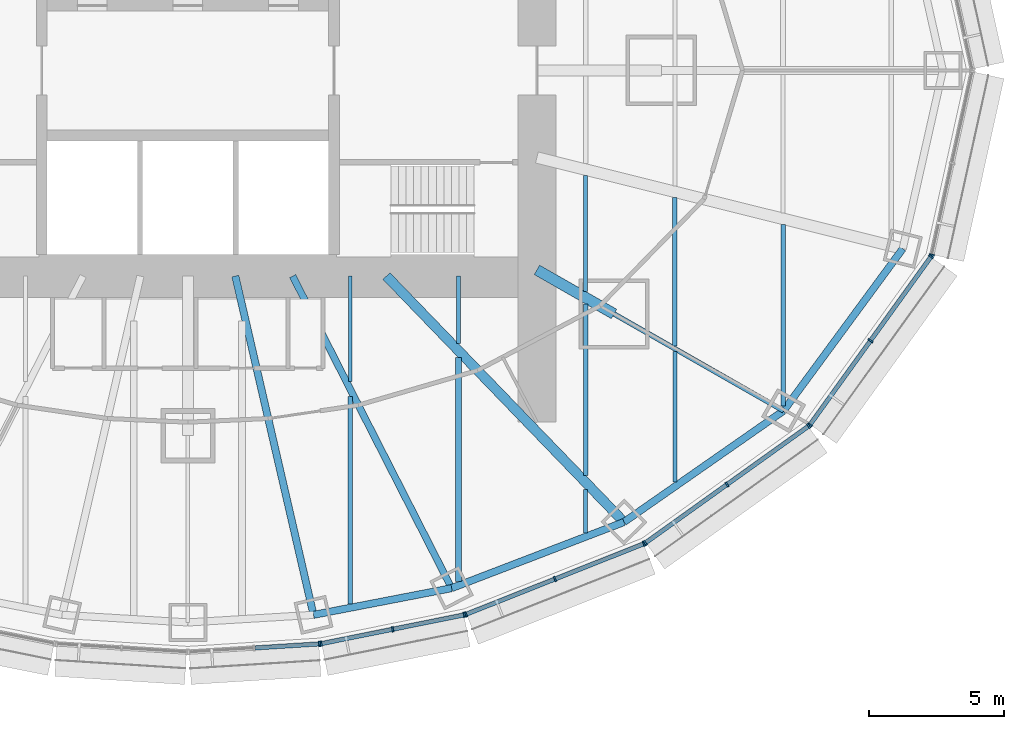
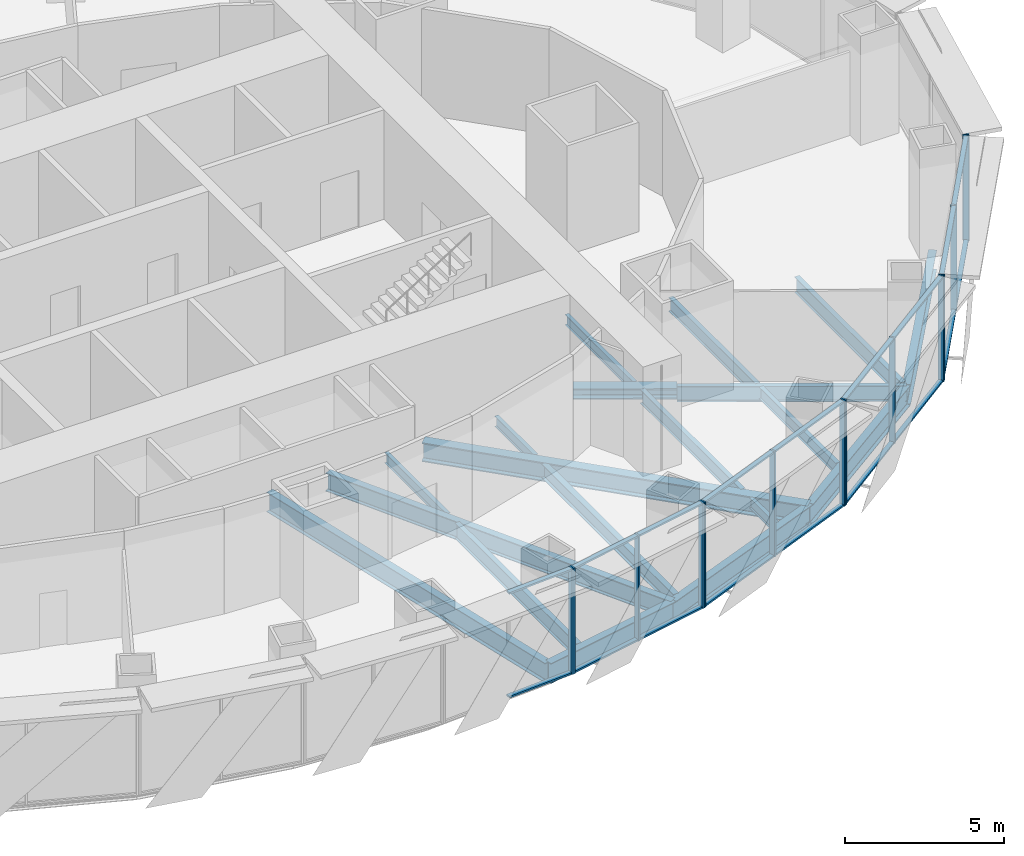
# One storey, part 5 of 17: 32 members, 19 beams, 6 elements without a shape of their own.
"""IFC4 building model written with IfcOpenShell, lengths in metres."""

from ifc_helpers import new_model, si_unit, direction, frame, origin, origin_2d, place, context, subcontext, project, spatial, rectangle, i_section, extrude, material, material_profile, profile_set, type_object, element, aggregate, save


model = new_model("IFC4")

# Units and contexts
model_context = context("Model", 3, precision=1e-05, world=origin(), true_north=direction((0.0, 1.0)))
body_context = subcontext(model_context, "Body", "Model", "MODEL_VIEW")
ifc_project = project(units=[si_unit("LENGTHUNIT", "METRE"), si_unit("AREAUNIT", "SQUARE_METRE"), si_unit("VOLUMEUNIT", "CUBIC_METRE"), si_unit("PLANEANGLEUNIT", "RADIAN"), si_unit("MASSUNIT", "GRAM", prefix="KILO")], contexts=[model_context])

# Site, building, storey
site_placement = place(None, origin())
site = spatial("IfcSite", under=ifc_project, at=site_placement, CompositionType="ELEMENT")
building_placement = place(site_placement, origin())
building = spatial("IfcBuilding", under=site, at=building_placement, Name="Lantaw Convention Tower", CompositionType="ELEMENT")
storey_placement = place(building_placement, frame((0.0, 0.0, 151.0)))
storey = spatial("IfcBuildingStorey", under=building, at=storey_placement, Name="L35", CompositionType="ELEMENT", Elevation=151.0)

# Beams
ifc_material_1 = material(Name="Steel ASTM A992", Category="steel")
ifc_material_profile_1 = material_profile(ifc_material_1, i_section(OverallWidth=0.2666015625, OverallDepth=0.76953125, WebThickness=0.015625, FlangeThickness=0.025390625, FilletRadius=0.0126953125, at=origin_2d()), Name="W30X132")
ifc_profile_set_1 = profile_set([ifc_material_profile_1], Name="Steel ASTM A992")
beam_type_1 = type_object("IfcBeamType", Name="Beam E W30X132", PredefinedType="SPANDREL", material=ifc_profile_set_1)
beam_1_placement = place(storey_placement, frame((4.64501953125, -20.1201171875, -0.534912109375), z_axis=(0.981796805654, 0.189934284446, 0.0), x_axis=(-0.189934284446, 0.981796805654, 0.0)))
element("IfcBeam", 1, at=beam_1_placement, inside=storey, type_object=beam_type_1, Name="Edge beam 20", PredefinedType="SPANDREL", context=body_context, shape_type="SweptSolid", body=[
    extrude(i_section(OverallWidth=0.2666015625, OverallDepth=0.76953125, WebThickness=0.015625, FlangeThickness=0.025390625, FilletRadius=0.0126953125, at=origin_2d()), origin(), (0.0, 0.0, 1.0), 5.1982421875),
])
beam_2_placement = place(storey_placement, frame((9.74853515625, -19.1328125, -0.534912109375), z_axis=(0.933691081977, 0.358079549033, 0.0), x_axis=(-0.358079549033, 0.933691081977, 0.0)))
element("IfcBeam", 2, at=beam_2_placement, inside=storey, type_object=beam_type_1, Name="Edge beam 21", PredefinedType="SPANDREL", context=body_context, shape_type="SweptSolid", body=[
    extrude(i_section(OverallWidth=0.2666015625, OverallDepth=0.76953125, WebThickness=0.015625, FlangeThickness=0.025390625, FilletRadius=0.0126953125, at=origin_2d()), origin(), (0.0, 0.0, 1.0), 6.821533203125),
])
beam_3_placement = place(storey_placement, frame((16.11767578125, -16.690185546875, -0.534912109375), z_axis=(0.820310765287, 0.57191804339, 0.0), x_axis=(-0.57191804339, 0.820310765287, 0.0)))
element("IfcBeam", 3, at=beam_3_placement, inside=storey, type_object=beam_type_1, Name="Edge beam 22", PredefinedType="SPANDREL", context=body_context, shape_type="SweptSolid", body=[
    extrude(i_section(OverallWidth=0.2666015625, OverallDepth=0.76953125, WebThickness=0.015625, FlangeThickness=0.025390625, FilletRadius=0.0126953125, at=origin_2d()), origin(), (0.0, 0.0, 1.0), 7.187744140625),
])
beam_4_placement = place(storey_placement, frame((22.013916015625, -12.579345703125, -0.534912109375), z_axis=(0.5923891972, 0.805651934176, 0.0), x_axis=(-0.805651934176, 0.5923891972, 0.0)))
element("IfcBeam", 4, at=beam_4_placement, inside=storey, type_object=beam_type_1, Name="Edge beam 23", PredefinedType="SPANDREL", context=body_context, shape_type="SweptSolid", body=[
    extrude(i_section(OverallWidth=0.2666015625, OverallDepth=0.76953125, WebThickness=0.015625, FlangeThickness=0.025390625, FilletRadius=0.0126953125, at=origin_2d()), origin(), (0.0, 0.0, 1.0), 7.437744140625),
])
ifc_material_profile_2 = material_profile(ifc_material_1, i_section(OverallWidth=0.177978515625, OverallDepth=0.599365234375, WebThickness=0.010009765625, FlangeThickness=0.012939453125, FilletRadius=0.012939453125, at=origin_2d()), Name="W24X55")
ifc_profile_set_2 = profile_set([ifc_material_profile_2], Name="Steel ASTM A992")
beam_type_2 = type_object("IfcBeamType", Name="Beam G W24X55", PredefinedType="BEAM", material=ifc_profile_set_2)
beam_5_placement = place(storey_placement, frame((15.75, -9.0, -0.44970703125), z_axis=(0.868245224608, -0.496135293993, 0.0), x_axis=(0.496135293993, 0.868245224608, 0.0)))
element("IfcBeam", 5, at=beam_5_placement, inside=storey, type_object=beam_type_2, Name="Floor girder on ray 23", PredefinedType="BEAM", context=body_context, shape_type="SweptSolid", body=[
    extrude(i_section(OverallWidth=0.177978515625, OverallDepth=0.599365234375, WebThickness=0.010009765625, FlangeThickness=0.012939453125, FilletRadius=0.012939453125, at=origin_2d()), origin(), (0.0, 0.0, 1.0), 7.21435546875),
])
ifc_material_profile_3 = material_profile(ifc_material_1, i_section(OverallWidth=0.25390625, OverallDepth=0.700927734375, WebThickness=0.015380859375, FlangeThickness=0.02783203125, FilletRadius=0.01513671875, at=origin_2d()), Name="W27X129")
ifc_profile_set_3 = profile_set([ifc_material_profile_3], Name="Steel ASTM A992")
beam_type_3 = type_object("IfcBeamType", Name="Beam G W27X129", PredefinedType="BEAM", material=ifc_profile_set_3)
beam_6_placement = place(storey_placement, frame((3.872314453125, -7.60009765625, -0.50048828125), z_axis=(0.453991051051, -0.891006243281, 0.0), x_axis=(0.891006243281, 0.453991051051, 0.0)))
element("IfcBeam", 6, at=beam_6_placement, inside=storey, type_object=beam_type_3, Name="Floor girder on ray 21", PredefinedType="BEAM", context=body_context, shape_type="SweptSolid", body=[
    extrude(i_section(OverallWidth=0.25390625, OverallDepth=0.700927734375, WebThickness=0.015380859375, FlangeThickness=0.02783203125, FilletRadius=0.01513671875, at=origin_2d()), origin(), (0.0, 0.0, 1.0), 12.943359375),
])
ifc_material_profile_4 = material_profile(ifc_material_1, i_section(OverallWidth=0.360595703125, OverallDepth=0.72900390625, WebThickness=0.023193359375, FlangeThickness=0.041015625, FilletRadius=0.0126953125, at=origin_2d()), Name="W27X235")
ifc_profile_set_4 = profile_set([ifc_material_profile_4], Name="Steel ASTM A992")
beam_type_4 = type_object("IfcBeamType", Name="Beam G W27X235", PredefinedType="BEAM", material=ifc_profile_set_4)
beam_7_placement = place(storey_placement, frame((7.33935546875, -7.60009765625, -0.514404296875), z_axis=(0.694663467407, -0.719334878239, 0.0), x_axis=(0.719334878239, 0.694663467407, 0.0)))
element("IfcBeam", 7, at=beam_7_placement, inside=storey, type_object=beam_type_4, Name="Floor girder on ray 22", PredefinedType="BEAM", context=body_context, shape_type="SweptSolid", body=[
    extrude(i_section(OverallWidth=0.360595703125, OverallDepth=0.72900390625, WebThickness=0.023193359375, FlangeThickness=0.041015625, FilletRadius=0.0126953125, at=origin_2d()), origin(), (0.0, 0.0, 1.0), 12.63671875),
])
ifc_material_profile_5 = material_profile(ifc_material_1, i_section(OverallWidth=0.2666015625, OverallDepth=0.7568359375, WebThickness=0.013916015625, FlangeThickness=0.019287109375, FilletRadius=0.0126953125, at=origin_2d()), Name="W30X108")
ifc_profile_set_5 = profile_set([ifc_material_profile_5], Name="Steel ASTM A992")
beam_type_5 = type_object("IfcBeamType", Name="Beam G W30X108", PredefinedType="BEAM", material=ifc_profile_set_5)
beam_8_placement = place(storey_placement, frame((1.754638671875, -7.60009765625, -0.528564453125), z_axis=(0.224944153104, -0.974371658036, 0.0), x_axis=(0.974371658036, 0.224944153104, 0.0)))
element("IfcBeam", 8, at=beam_8_placement, inside=storey, type_object=beam_type_5, Name="Floor girder on ray 20", PredefinedType="BEAM", context=body_context, shape_type="SweptSolid", body=[
    extrude(i_section(OverallWidth=0.2666015625, OverallDepth=0.7568359375, WebThickness=0.013916015625, FlangeThickness=0.019287109375, FilletRadius=0.0126953125, at=origin_2d()), origin(), (0.0, 0.0, 1.0), 12.849365234375),
])
ifc_material_profile_6 = material_profile(ifc_material_1, i_section(OverallWidth=0.40380859375, OverallDepth=0.406494140625, WebThickness=0.027099609375, FlangeThickness=0.043701171875, FilletRadius=0.01513671875, at=origin_2d()), Name="W14X233")
ifc_profile_set_6 = profile_set([ifc_material_profile_6], Name="Steel ASTM A992")
beam_type_6 = type_object("IfcBeamType", Name="Beam GM W14X233", PredefinedType="BEAM", material=ifc_profile_set_6)
beam_9_placement = place(storey_placement, frame((12.89990234375, -7.371337890625, -0.353271484375), z_axis=(0.868238565244, -0.496146947811, 0.0), x_axis=(0.496146947811, 0.868238565244, 0.0)))
element("IfcBeam", 9, at=beam_9_placement, inside=storey, type_object=beam_type_6, Name="Core link beam on ray 23", PredefinedType="BEAM", context=body_context, shape_type="SweptSolid", body=[
    extrude(i_section(OverallWidth=0.40380859375, OverallDepth=0.406494140625, WebThickness=0.027099609375, FlangeThickness=0.043701171875, FilletRadius=0.01513671875, at=origin_2d()), origin(), (0.0, 0.0, 1.0), 3.28271484375),
])
ifc_material_profile_7 = material_profile(ifc_material_1, i_section(OverallWidth=0.140380859375, OverallDepth=0.40380859375, WebThickness=0.007080078125, FlangeThickness=0.01123046875, FilletRadius=0.01025390625, at=origin_2d()), Name="W16X31")
ifc_profile_set_7 = profile_set([ifc_material_profile_7], Name="Steel ASTM A992")
beam_type_7 = type_object("IfcBeamType", Name="Beam J W16X31", PredefinedType="JOIST", material=ifc_profile_set_7)
beam_10_placement = place(storey_placement, frame((6.0, -11.495849609375, -0.35205078125), z_axis=(0.0, 1.0, 0.0), x_axis=(-1.0, 0.0, 0.0)))
element("IfcBeam", 10, at=beam_10_placement, inside=storey, type_object=beam_type_7, Name="Floor joist", PredefinedType="JOIST", context=body_context, shape_type="SweptSolid", body=[
    extrude(i_section(OverallWidth=0.140380859375, OverallDepth=0.40380859375, WebThickness=0.007080078125, FlangeThickness=0.01123046875, FilletRadius=0.01025390625, at=origin_2d()), origin(), (0.0, 0.0, 1.0), 3.895751953125),
])
beam_11_placement = place(storey_placement, frame((10.0, -10.095703125, -0.35205078125), z_axis=(0.0, 1.0, 0.0), x_axis=(-1.0, 0.0, 0.0)))
element("IfcBeam", 11, at=beam_11_placement, inside=storey, type_object=beam_type_7, Name="Floor joist", PredefinedType="JOIST", context=body_context, shape_type="SweptSolid", body=[
    extrude(i_section(OverallWidth=0.140380859375, OverallDepth=0.40380859375, WebThickness=0.007080078125, FlangeThickness=0.01123046875, FilletRadius=0.01025390625, at=origin_2d()), origin(), (0.0, 0.0, 1.0), 2.49560546875),
])
beam_12_placement = place(storey_placement, frame((14.699951171875, -17.091064453125, -0.35205078125), z_axis=(0.0, 1.0, 0.0), x_axis=(-1.0, 0.0, 0.0)))
element("IfcBeam", 12, at=beam_12_placement, inside=storey, type_object=beam_type_7, Name="Floor joist", PredefinedType="JOIST", context=body_context, shape_type="SweptSolid", body=[
    extrude(i_section(OverallWidth=0.140380859375, OverallDepth=0.40380859375, WebThickness=0.007080078125, FlangeThickness=0.01123046875, FilletRadius=0.01025390625, at=origin_2d()), origin(), (0.0, 0.0, 1.0), 1.609130859375),
])
beam_13_placement = place(storey_placement, frame((14.699951171875, -8.16748046875, -0.35205078125), z_axis=(0.0, 1.0, 0.0), x_axis=(-1.0, 0.0, 0.0)))
element("IfcBeam", 13, at=beam_13_placement, inside=storey, type_object=beam_type_7, Name="Floor joist", PredefinedType="JOIST", context=body_context, shape_type="SweptSolid", body=[
    extrude(i_section(OverallWidth=0.140380859375, OverallDepth=0.40380859375, WebThickness=0.007080078125, FlangeThickness=0.01123046875, FilletRadius=0.01025390625, at=origin_2d()), origin(), (0.0, 0.0, 1.0), 4.28515625),
])
ifc_material_profile_8 = material_profile(ifc_material_1, i_section(OverallWidth=0.15234375, OverallDepth=0.449462890625, WebThickness=0.007568359375, FlangeThickness=0.0107421875, FilletRadius=0.01025390625, at=origin_2d()), Name="W18X35")
ifc_profile_set_8 = profile_set([ifc_material_profile_8], Name="Steel ASTM A992")
beam_type_8 = type_object("IfcBeamType", Name="Beam J W18X35", PredefinedType="JOIST", material=ifc_profile_set_8)
beam_14_placement = place(storey_placement, frame((18.0, -15.21533203125, -0.374755859375), z_axis=(0.0, 1.0, 0.0), x_axis=(-1.0, 0.0, 0.0)))
element("IfcBeam", 14, at=beam_14_placement, inside=storey, type_object=beam_type_8, Name="Floor joist", PredefinedType="JOIST", context=body_context, shape_type="SweptSolid", body=[
    extrude(i_section(OverallWidth=0.15234375, OverallDepth=0.449462890625, WebThickness=0.007568359375, FlangeThickness=0.0107421875, FilletRadius=0.01025390625, at=origin_2d()), origin(), (0.0, 0.0, 1.0), 4.8271484375),
])
ifc_material_profile_9 = material_profile(ifc_material_1, i_section(OverallWidth=0.1650390625, OverallDepth=0.52587890625, WebThickness=0.0087890625, FlangeThickness=0.011474609375, FilletRadius=0.0126953125, at=origin_2d()), Name="W21X44")
ifc_profile_set_9 = profile_set([ifc_material_profile_9], Name="Steel ASTM A992")
beam_type_9 = type_object("IfcBeamType", Name="Beam J W21X44", PredefinedType="JOIST", material=ifc_profile_set_9)
beam_15_placement = place(storey_placement, frame((14.699951171875, -14.962646484375, -0.412841796875), z_axis=(0.0, 1.0, 0.0), x_axis=(-1.0, 0.0, 0.0)))
element("IfcBeam", 15, at=beam_15_placement, inside=storey, type_object=beam_type_9, Name="Floor joist", PredefinedType="JOIST", context=body_context, shape_type="SweptSolid", body=[
    extrude(i_section(OverallWidth=0.1650390625, OverallDepth=0.52587890625, WebThickness=0.0087890625, FlangeThickness=0.011474609375, FilletRadius=0.0126953125, at=origin_2d()), origin(), (0.0, 0.0, 1.0), 6.330078125),
])
beam_16_placement = place(storey_placement, frame((18.0, -10.18310546875, -0.412841796875), z_axis=(0.0, 1.0, 0.0), x_axis=(-1.0, 0.0, 0.0)))
element("IfcBeam", 16, at=beam_16_placement, inside=storey, type_object=beam_type_9, Name="Floor joist", PredefinedType="JOIST", context=body_context, shape_type="SweptSolid", body=[
    extrude(i_section(OverallWidth=0.1650390625, OverallDepth=0.52587890625, WebThickness=0.0087890625, FlangeThickness=0.011474609375, FilletRadius=0.0126953125, at=origin_2d()), origin(), (0.0, 0.0, 1.0), 5.47802734375),
])
ifc_material_profile_10 = material_profile(ifc_material_1, i_section(OverallWidth=0.2099609375, OverallDepth=0.535888671875, WebThickness=0.010986328125, FlangeThickness=0.017333984375, FilletRadius=0.012939453125, at=origin_2d()), Name="W21X68")
ifc_profile_set_10 = profile_set([ifc_material_profile_10], Name="Steel ASTM A992")
beam_type_10 = type_object("IfcBeamType", Name="Beam J W21X68", PredefinedType="JOIST", material=ifc_profile_set_10)
beam_17_placement = place(storey_placement, frame((10.0, -18.8935546875, -0.41796875), z_axis=(0.0, 1.0, 0.0), x_axis=(-1.0, 0.0, 0.0)))
element("IfcBeam", 17, at=beam_17_placement, inside=storey, type_object=beam_type_10, Name="Floor joist", PredefinedType="JOIST", context=body_context, shape_type="SweptSolid", body=[
    extrude(i_section(OverallWidth=0.2099609375, OverallDepth=0.535888671875, WebThickness=0.010986328125, FlangeThickness=0.017333984375, FilletRadius=0.012939453125, at=origin_2d()), origin(), (0.0, 0.0, 1.0), 8.278564453125),
])
ifc_material_profile_11 = material_profile(ifc_material_1, i_section(OverallWidth=0.177978515625, OverallDepth=0.599365234375, WebThickness=0.010009765625, FlangeThickness=0.012939453125, FilletRadius=0.012939453125, at=origin_2d()), Name="W24X55")
ifc_profile_set_11 = profile_set([ifc_material_profile_11], Name="Steel ASTM A992")
beam_type_11 = type_object("IfcBeamType", Name="Beam J W24X55", PredefinedType="JOIST", material=ifc_profile_set_11)
beam_18_placement = place(storey_placement, frame((6.0, -19.72216796875, -0.44970703125), z_axis=(0.0, 1.0, 0.0), x_axis=(-1.0, 0.0, 0.0)))
element("IfcBeam", 18, at=beam_18_placement, inside=storey, type_object=beam_type_11, Name="Floor joist", PredefinedType="JOIST", context=body_context, shape_type="SweptSolid", body=[
    extrude(i_section(OverallWidth=0.177978515625, OverallDepth=0.599365234375, WebThickness=0.010009765625, FlangeThickness=0.012939453125, FilletRadius=0.012939453125, at=origin_2d()), origin(), (0.0, 0.0, 1.0), 7.666748046875),
])
beam_19_placement = place(storey_placement, frame((22.0, -12.408935546875, -0.44970703125), z_axis=(0.0, 1.0, 0.0), x_axis=(-1.0, 0.0, 0.0)))
element("IfcBeam", 19, at=beam_19_placement, inside=storey, type_object=beam_type_11, Name="Floor joist", PredefinedType="JOIST", context=body_context, shape_type="SweptSolid", body=[
    extrude(i_section(OverallWidth=0.177978515625, OverallDepth=0.599365234375, WebThickness=0.010009765625, FlangeThickness=0.012939453125, FilletRadius=0.012939453125, at=origin_2d()), origin(), (0.0, 0.0, 1.0), 6.70654296875),
])

# Curtain wall, member
ifc_material_2 = material(Name="Aluminium framed curtain wall", Category="aluminium")
curtain_wall_type = type_object("IfcCurtainWallType", Name="Office curtain wall low rise, pale aluminium", PredefinedType="USERDEFINED", material=ifc_material_2)
curtain_wall_1_placement = place(storey_placement, origin())
curtain_wall_1 = element("IfcCurtainWall", 20, at=curtain_wall_1_placement, inside=storey, type_object=curtain_wall_type, Name="Office curtain wall low rise, pale aluminium L35", ObjectType="UNITISED CURTAIN WALL", PredefinedType="USERDEFINED")
ifc_material_3 = material(Name="Aluminium 6063-T6", Category="aluminium")
ifc_material_profile_12 = material_profile(ifc_material_3, rectangle(XDim=0.199951171875, YDim=0.06494140625, at=origin_2d()), Name="CW-O1 mullion 65x200")
ifc_profile_set_12 = profile_set([ifc_material_profile_12], Name="Aluminium 6063-T6")
member_type_1 = type_object("IfcMemberType", Name="CW-O1 mullion 65x200", PredefinedType="MULLION", material=ifc_profile_set_12)
member_1_placement = place(storey_placement, frame((4.860107421875, -21.19384765625, 0.0), z_axis=(0.0, 0.0, 1.0), x_axis=(-0.062865059466, 0.998022035978, 0.0)))
member_1 = element("IfcMember", 21, at=member_1_placement, type_object=member_type_1, Name="CW-O1 mullion 3", PredefinedType="MULLION", context=body_context, shape_type="SweptSolid", body=[
    extrude(rectangle(XDim=0.199951171875, YDim=0.06494140625, at=origin_2d()), origin(), (0.0, 0.0, 1.0), 4.050048828125),
])

# Curtain wall, members
curtain_wall_2_placement = place(storey_placement, origin())
curtain_wall_2 = element("IfcCurtainWall", 22, at=curtain_wall_2_placement, inside=storey, type_object=curtain_wall_type, Name="Office curtain wall low rise, pale aluminium L35", ObjectType="UNITISED CURTAIN WALL", PredefinedType="USERDEFINED")
member_2_placement = place(storey_placement, frame((4.92431640625, -21.185302734375, 0.0), z_axis=(0.0, 0.0, 1.0), x_axis=(-0.197506809659, 0.980301514912, 0.0)))
member_2 = element("IfcMember", 23, at=member_2_placement, type_object=member_type_1, Name="CW-O1 mullion 1", PredefinedType="MULLION", context=body_context, shape_type="SweptSolid", body=[
    extrude(rectangle(XDim=0.199951171875, YDim=0.06494140625, at=origin_2d()), origin(), (0.0, 0.0, 1.0), 4.050048828125),
])
member_3_placement = place(storey_placement, frame((7.5703125, -20.65234375, 0.0), z_axis=(0.0, 0.0, 1.0), x_axis=(-0.197506809659, 0.980301514912, 0.0)))
member_3 = element("IfcMember", 24, at=member_3_placement, type_object=member_type_1, Name="CW-O1 mullion 2", PredefinedType="MULLION", context=body_context, shape_type="SweptSolid", body=[
    extrude(rectangle(XDim=0.199951171875, YDim=0.06494140625, at=origin_2d()), origin(), (0.0, 0.0, 1.0), 4.050048828125),
])
member_4_placement = place(storey_placement, frame((10.216064453125, -20.119140625, 0.0), z_axis=(0.0, 0.0, 1.0), x_axis=(-0.197506809659, 0.980301514912, 0.0)))
member_4 = element("IfcMember", 25, at=member_4_placement, type_object=member_type_1, Name="CW-O1 mullion 3", PredefinedType="MULLION", context=body_context, shape_type="SweptSolid", body=[
    extrude(rectangle(XDim=0.199951171875, YDim=0.06494140625, at=origin_2d()), origin(), (0.0, 0.0, 1.0), 4.050048828125),
])

curtain_wall_3_placement = place(storey_placement, origin())
curtain_wall_3 = element("IfcCurtainWall", 26, at=curtain_wall_3_placement, inside=storey, type_object=curtain_wall_type, Name="Office curtain wall low rise, pale aluminium L35", ObjectType="UNITISED CURTAIN WALL", PredefinedType="USERDEFINED")
member_5_placement = place(storey_placement, frame((10.2783203125, -20.100830078125, 0.0), z_axis=(0.0, 0.0, 1.0), x_axis=(-0.368701907483, 0.929547687544, 0.0)))
member_5 = element("IfcMember", 27, at=member_5_placement, type_object=member_type_1, Name="CW-O1 mullion 1", PredefinedType="MULLION", context=body_context, shape_type="SweptSolid", body=[
    extrude(rectangle(XDim=0.199951171875, YDim=0.06494140625, at=origin_2d()), origin(), (0.0, 0.0, 1.0), 4.050048828125),
])
member_6_placement = place(storey_placement, frame((13.56494140625, -18.797119140625, 0.0), z_axis=(0.0, 0.0, 1.0), x_axis=(-0.368701907483, 0.929547687544, 0.0)))
member_6 = element("IfcMember", 28, at=member_6_placement, type_object=member_type_1, Name="CW-O1 mullion 2", PredefinedType="MULLION", context=body_context, shape_type="SweptSolid", body=[
    extrude(rectangle(XDim=0.199951171875, YDim=0.06494140625, at=origin_2d()), origin(), (0.0, 0.0, 1.0), 4.050048828125),
])
member_7_placement = place(storey_placement, frame((16.8515625, -17.49365234375, 0.0), z_axis=(0.0, 0.0, 1.0), x_axis=(-0.368701907483, 0.929547687544, 0.0)))
member_7 = element("IfcMember", 29, at=member_7_placement, type_object=member_type_1, Name="CW-O1 mullion 3", PredefinedType="MULLION", context=body_context, shape_type="SweptSolid", body=[
    extrude(rectangle(XDim=0.199951171875, YDim=0.06494140625, at=origin_2d()), origin(), (0.0, 0.0, 1.0), 4.050048828125),
])

curtain_wall_4_placement = place(storey_placement, origin())
curtain_wall_4 = element("IfcCurtainWall", 30, at=curtain_wall_4_placement, inside=storey, type_object=curtain_wall_type, Name="Office curtain wall low rise, pale aluminium L35", ObjectType="UNITISED CURTAIN WALL", PredefinedType="USERDEFINED")
member_8_placement = place(storey_placement, frame((16.908203125, -17.462646484375, 0.0), z_axis=(0.0, 0.0, 1.0), x_axis=(-0.581972695693, 0.813208325995, 0.0)))
member_8 = element("IfcMember", 31, at=member_8_placement, type_object=member_type_1, Name="CW-O1 mullion 1", PredefinedType="MULLION", context=body_context, shape_type="SweptSolid", body=[
    extrude(rectangle(XDim=0.199951171875, YDim=0.06494140625, at=origin_2d()), origin(), (0.0, 0.0, 1.0), 4.050048828125),
])
member_9_placement = place(storey_placement, frame((19.92529296875, -15.303466796875, 0.0), z_axis=(0.0, 0.0, 1.0), x_axis=(-0.581972695693, 0.813208325995, 0.0)))
member_9 = element("IfcMember", 32, at=member_9_placement, type_object=member_type_1, Name="CW-O1 mullion 2", PredefinedType="MULLION", context=body_context, shape_type="SweptSolid", body=[
    extrude(rectangle(XDim=0.199951171875, YDim=0.06494140625, at=origin_2d()), origin(), (0.0, 0.0, 1.0), 4.050048828125),
])
member_10_placement = place(storey_placement, frame((22.942626953125, -13.14404296875, 0.0), z_axis=(0.0, 0.0, 1.0), x_axis=(-0.581972695693, 0.813208325995, 0.0)))
member_10 = element("IfcMember", 33, at=member_10_placement, type_object=member_type_1, Name="CW-O1 mullion 3", PredefinedType="MULLION", context=body_context, shape_type="SweptSolid", body=[
    extrude(rectangle(XDim=0.199951171875, YDim=0.06494140625, at=origin_2d()), origin(), (0.0, 0.0, 1.0), 4.050048828125),
])

curtain_wall_5_placement = place(storey_placement, origin())
curtain_wall_5 = element("IfcCurtainWall", 34, at=curtain_wall_5_placement, inside=storey, type_object=curtain_wall_type, Name="Office curtain wall low rise, pale aluminium L35", ObjectType="UNITISED CURTAIN WALL", PredefinedType="USERDEFINED")
member_11_placement = place(storey_placement, frame((22.988037109375, -13.098876953125, 0.0), z_axis=(0.0, 0.0, 1.0), x_axis=(-0.811384633629, 0.584512597221, 0.0)))
member_11 = element("IfcMember", 35, at=member_11_placement, type_object=member_type_1, Name="CW-O1 mullion 1", PredefinedType="MULLION", context=body_context, shape_type="SweptSolid", body=[
    extrude(rectangle(XDim=0.199951171875, YDim=0.06494140625, at=origin_2d()), origin(), (0.0, 0.0, 1.0), 4.050048828125),
])
member_12_placement = place(storey_placement, frame((25.22802734375, -9.9892578125, 0.0), z_axis=(0.0, 0.0, 1.0), x_axis=(-0.811384633629, 0.584512597221, 0.0)))
member_12 = element("IfcMember", 36, at=member_12_placement, type_object=member_type_1, Name="CW-O1 mullion 2", PredefinedType="MULLION", context=body_context, shape_type="SweptSolid", body=[
    extrude(rectangle(XDim=0.199951171875, YDim=0.06494140625, at=origin_2d()), origin(), (0.0, 0.0, 1.0), 4.050048828125),
])
member_13_placement = place(storey_placement, frame((27.46826171875, -6.879638671875, 0.0), z_axis=(0.0, 0.0, 1.0), x_axis=(-0.811384633629, 0.584512597221, 0.0)))
member_13 = element("IfcMember", 37, at=member_13_placement, type_object=member_type_1, Name="CW-O1 mullion 3", PredefinedType="MULLION", context=body_context, shape_type="SweptSolid", body=[
    extrude(rectangle(XDim=0.199951171875, YDim=0.06494140625, at=origin_2d()), origin(), (0.0, 0.0, 1.0), 4.050048828125),
])

# Curtain wall, member
curtain_wall_6_placement = place(storey_placement, origin())
curtain_wall_6 = element("IfcCurtainWall", 38, at=curtain_wall_6_placement, inside=storey, type_object=curtain_wall_type, Name="Office curtain wall low rise, pale aluminium L35", ObjectType="UNITISED CURTAIN WALL", PredefinedType="USERDEFINED")
member_14_placement = place(storey_placement, frame((27.494140625, -6.821533203125, 0.0), z_axis=(0.0, 0.0, 1.0), x_axis=(-0.9764936509, 0.215546166174, 0.0)))
member_14 = element("IfcMember", 39, at=member_14_placement, type_object=member_type_1, Name="CW-O1 mullion 1", PredefinedType="MULLION", context=body_context, shape_type="SweptSolid", body=[
    extrude(rectangle(XDim=0.199951171875, YDim=0.06494140625, at=origin_2d()), origin(), (0.0, 0.0, 1.0), 4.050048828125),
])
aggregate(curtain_wall_6, [member_14])

# Member
ifc_material_profile_13 = material_profile(ifc_material_3, rectangle(XDim=0.159912109375, YDim=0.06494140625, at=origin_2d()), Name="CW-O1 transom 65x160")
ifc_profile_set_13 = profile_set([ifc_material_profile_13], Name="Aluminium 6063-T6")
member_type_2 = type_object("IfcMemberType", Name="CW-O1 transom 65x160", PredefinedType="USERDEFINED", material=ifc_profile_set_13)
member_15_placement = place(storey_placement, frame((2.478759765625, -21.34375, 0.032470703125), z_axis=(0.998022188463, 0.062862638625, 0.0), x_axis=(-0.062862638625, 0.998022188463, 0.0)))
member_15 = element("IfcMember", 40, at=member_15_placement, type_object=member_type_2, Name="CW-O1 transom 2.1", ObjectType="TRANSOM", PredefinedType="USERDEFINED", context=body_context, shape_type="SweptSolid", body=[
    extrude(rectangle(XDim=0.159912109375, YDim=0.06494140625, at=origin_2d()), origin(), (0.0, 0.0, 1.0), 2.353515625),
])

member_16_placement = place(storey_placement, frame((2.478759765625, -21.34375, 4.017578125), z_axis=(0.998022188463, 0.062862638625, 0.0), x_axis=(-0.062862638625, 0.998022188463, 0.0)))
member_16 = element("IfcMember", 41, at=member_16_placement, type_object=member_type_2, Name="CW-O1 transom 2.2", ObjectType="TRANSOM", PredefinedType="USERDEFINED", context=body_context, shape_type="SweptSolid", body=[
    extrude(rectangle(XDim=0.159912109375, YDim=0.06494140625, at=origin_2d()), origin(), (0.0, 0.0, 1.0), 2.353515625),
])

aggregate(curtain_wall_1, [member_1, member_15, member_16])

member_17_placement = place(storey_placement, frame((4.956298828125, -21.178955078125, 0.032470703125), z_axis=(0.980298027092, 0.197524120247, 0.0), x_axis=(-0.197524120247, 0.980298027092, 0.0)))
member_17 = element("IfcMember", 42, at=member_17_placement, type_object=member_type_2, Name="CW-O1 transom 1.1", ObjectType="TRANSOM", PredefinedType="USERDEFINED", context=body_context, shape_type="SweptSolid", body=[
    extrude(rectangle(XDim=0.159912109375, YDim=0.06494140625, at=origin_2d()), origin(), (0.0, 0.0, 1.0), 2.634033203125),
])

member_18_placement = place(storey_placement, frame((4.956298828125, -21.178955078125, 4.017578125), z_axis=(0.980298027092, 0.197524120247, 0.0), x_axis=(-0.197524120247, 0.980298027092, 0.0)))
member_18 = element("IfcMember", 43, at=member_18_placement, type_object=member_type_2, Name="CW-O1 transom 1.2", ObjectType="TRANSOM", PredefinedType="USERDEFINED", context=body_context, shape_type="SweptSolid", body=[
    extrude(rectangle(XDim=0.159912109375, YDim=0.06494140625, at=origin_2d()), origin(), (0.0, 0.0, 1.0), 2.634033203125),
])

member_19_placement = place(storey_placement, frame((7.60205078125, -20.64599609375, 0.032470703125), z_axis=(0.980301643003, 0.197506173891, 0.0), x_axis=(-0.197506173891, 0.980301643003, 0.0)))
member_19 = element("IfcMember", 44, at=member_19_placement, type_object=member_type_2, Name="CW-O1 transom 2.1", ObjectType="TRANSOM", PredefinedType="USERDEFINED", context=body_context, shape_type="SweptSolid", body=[
    extrude(rectangle(XDim=0.159912109375, YDim=0.06494140625, at=origin_2d()), origin(), (0.0, 0.0, 1.0), 2.63427734375),
])

member_20_placement = place(storey_placement, frame((7.60205078125, -20.64599609375, 4.017578125), z_axis=(0.980301643003, 0.197506173891, 0.0), x_axis=(-0.197506173891, 0.980301643003, 0.0)))
member_20 = element("IfcMember", 45, at=member_20_placement, type_object=member_type_2, Name="CW-O1 transom 2.2", ObjectType="TRANSOM", PredefinedType="USERDEFINED", context=body_context, shape_type="SweptSolid", body=[
    extrude(rectangle(XDim=0.159912109375, YDim=0.06494140625, at=origin_2d()), origin(), (0.0, 0.0, 1.0), 2.63427734375),
])

aggregate(curtain_wall_2, [member_2, member_3, member_4, member_17, member_18, member_19, member_20])

member_21_placement = place(storey_placement, frame((10.308349609375, -20.0888671875, 0.032470703125), z_axis=(0.929540081544, 0.368721082668, 0.0), x_axis=(-0.368721082668, 0.929540081544, 0.0)))
member_21 = element("IfcMember", 46, at=member_21_placement, type_object=member_type_2, Name="CW-O1 transom 1.1", ObjectType="TRANSOM", PredefinedType="USERDEFINED", context=body_context, shape_type="SweptSolid", body=[
    extrude(rectangle(XDim=0.159912109375, YDim=0.06494140625, at=origin_2d()), origin(), (0.0, 0.0, 1.0), 3.470947265625),
])

member_22_placement = place(storey_placement, frame((10.308349609375, -20.0888671875, 4.017578125), z_axis=(0.929540081544, 0.368721082668, 0.0), x_axis=(-0.368721082668, 0.929540081544, 0.0)))
member_22 = element("IfcMember", 47, at=member_22_placement, type_object=member_type_2, Name="CW-O1 transom 1.2", ObjectType="TRANSOM", PredefinedType="USERDEFINED", context=body_context, shape_type="SweptSolid", body=[
    extrude(rectangle(XDim=0.159912109375, YDim=0.06494140625, at=origin_2d()), origin(), (0.0, 0.0, 1.0), 3.470947265625),
])

member_23_placement = place(storey_placement, frame((13.594970703125, -18.78515625, 0.032470703125), z_axis=(0.929564188507, 0.368660303592, 0.0), x_axis=(-0.368660303592, 0.929564188507, 0.0)))
member_23 = element("IfcMember", 48, at=member_23_placement, type_object=member_type_2, Name="CW-O1 transom 2.1", ObjectType="TRANSOM", PredefinedType="USERDEFINED", context=body_context, shape_type="SweptSolid", body=[
    extrude(rectangle(XDim=0.159912109375, YDim=0.06494140625, at=origin_2d()), origin(), (0.0, 0.0, 1.0), 3.470703125),
])

member_24_placement = place(storey_placement, frame((13.594970703125, -18.78515625, 4.017578125), z_axis=(0.929564188507, 0.368660303592, 0.0), x_axis=(-0.368660303592, 0.929564188507, 0.0)))
member_24 = element("IfcMember", 49, at=member_24_placement, type_object=member_type_2, Name="CW-O1 transom 2.2", ObjectType="TRANSOM", PredefinedType="USERDEFINED", context=body_context, shape_type="SweptSolid", body=[
    extrude(rectangle(XDim=0.159912109375, YDim=0.06494140625, at=origin_2d()), origin(), (0.0, 0.0, 1.0), 3.470703125),
])

aggregate(curtain_wall_3, [member_5, member_6, member_7, member_21, member_22, member_23, member_24])

member_25_placement = place(storey_placement, frame((16.9345703125, -17.44384765625, 0.032470703125), z_axis=(0.813190089133, 0.581998177777, 0.0), x_axis=(-0.581998177777, 0.813190089133, 0.0)))
member_25 = element("IfcMember", 50, at=member_25_placement, type_object=member_type_2, Name="CW-O1 transom 1.1", ObjectType="TRANSOM", PredefinedType="USERDEFINED", context=body_context, shape_type="SweptSolid", body=[
    extrude(rectangle(XDim=0.159912109375, YDim=0.06494140625, at=origin_2d()), origin(), (0.0, 0.0, 1.0), 3.645263671875),
])

member_26_placement = place(storey_placement, frame((16.9345703125, -17.44384765625, 4.017578125), z_axis=(0.813190089133, 0.581998177777, 0.0), x_axis=(-0.581998177777, 0.813190089133, 0.0)))
member_26 = element("IfcMember", 51, at=member_26_placement, type_object=member_type_2, Name="CW-O1 transom 1.2", ObjectType="TRANSOM", PredefinedType="USERDEFINED", context=body_context, shape_type="SweptSolid", body=[
    extrude(rectangle(XDim=0.159912109375, YDim=0.06494140625, at=origin_2d()), origin(), (0.0, 0.0, 1.0), 3.645263671875),
])

member_27_placement = place(storey_placement, frame((19.951904296875, -15.284423828125, 0.032470703125), z_axis=(0.813221785972, 0.581953887194, 0.0), x_axis=(-0.581953887194, 0.813221785972, 0.0)))
member_27 = element("IfcMember", 52, at=member_27_placement, type_object=member_type_2, Name="CW-O1 transom 2.1", ObjectType="TRANSOM", PredefinedType="USERDEFINED", context=body_context, shape_type="SweptSolid", body=[
    extrude(rectangle(XDim=0.159912109375, YDim=0.06494140625, at=origin_2d()), origin(), (0.0, 0.0, 1.0), 3.645263671875),
])

member_28_placement = place(storey_placement, frame((19.951904296875, -15.284423828125, 4.017578125), z_axis=(0.813221785972, 0.581953887194, 0.0), x_axis=(-0.581953887194, 0.813221785972, 0.0)))
member_28 = element("IfcMember", 53, at=member_28_placement, type_object=member_type_2, Name="CW-O1 transom 2.2", ObjectType="TRANSOM", PredefinedType="USERDEFINED", context=body_context, shape_type="SweptSolid", body=[
    extrude(rectangle(XDim=0.159912109375, YDim=0.06494140625, at=origin_2d()), origin(), (0.0, 0.0, 1.0), 3.645263671875),
])

aggregate(curtain_wall_4, [member_8, member_9, member_10, member_25, member_26, member_27, member_28])

member_29_placement = place(storey_placement, frame((23.007080078125, -13.072509765625, 0.032470703125), z_axis=(0.584512973979, 0.811384362217, 0.0), x_axis=(-0.811384362217, 0.584512973979, 0.0)))
member_29 = element("IfcMember", 54, at=member_29_placement, type_object=member_type_2, Name="CW-O1 transom 1.1", ObjectType="TRANSOM", PredefinedType="USERDEFINED", context=body_context, shape_type="SweptSolid", body=[
    extrude(rectangle(XDim=0.159912109375, YDim=0.06494140625, at=origin_2d()), origin(), (0.0, 0.0, 1.0), 3.767578125),
])

member_30_placement = place(storey_placement, frame((23.007080078125, -13.072509765625, 4.017578125), z_axis=(0.584512973979, 0.811384362217, 0.0), x_axis=(-0.811384362217, 0.584512973979, 0.0)))
member_30 = element("IfcMember", 55, at=member_30_placement, type_object=member_type_2, Name="CW-O1 transom 1.2", ObjectType="TRANSOM", PredefinedType="USERDEFINED", context=body_context, shape_type="SweptSolid", body=[
    extrude(rectangle(XDim=0.159912109375, YDim=0.06494140625, at=origin_2d()), origin(), (0.0, 0.0, 1.0), 3.767578125),
])

member_31_placement = place(storey_placement, frame((25.2470703125, -9.962890625, 0.032470703125), z_axis=(0.584512973979, 0.811384362217, 0.0), x_axis=(-0.811384362217, 0.584512973979, 0.0)))
member_31 = element("IfcMember", 56, at=member_31_placement, type_object=member_type_2, Name="CW-O1 transom 2.1", ObjectType="TRANSOM", PredefinedType="USERDEFINED", context=body_context, shape_type="SweptSolid", body=[
    extrude(rectangle(XDim=0.159912109375, YDim=0.06494140625, at=origin_2d()), origin(), (0.0, 0.0, 1.0), 3.767578125),
])

member_32_placement = place(storey_placement, frame((25.2470703125, -9.962890625, 4.017578125), z_axis=(0.584512973979, 0.811384362217, 0.0), x_axis=(-0.811384362217, 0.584512973979, 0.0)))
member_32 = element("IfcMember", 57, at=member_32_placement, type_object=member_type_2, Name="CW-O1 transom 2.2", ObjectType="TRANSOM", PredefinedType="USERDEFINED", context=body_context, shape_type="SweptSolid", body=[
    extrude(rectangle(XDim=0.159912109375, YDim=0.06494140625, at=origin_2d()), origin(), (0.0, 0.0, 1.0), 3.767578125),
])

aggregate(curtain_wall_5, [member_11, member_12, member_13, member_29, member_30, member_31, member_32])

save(model, "model.ifc")
